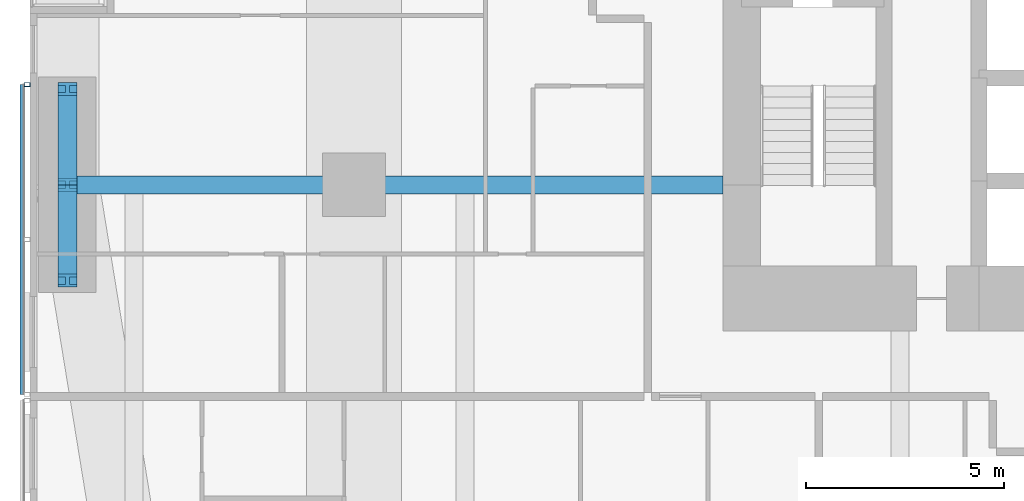
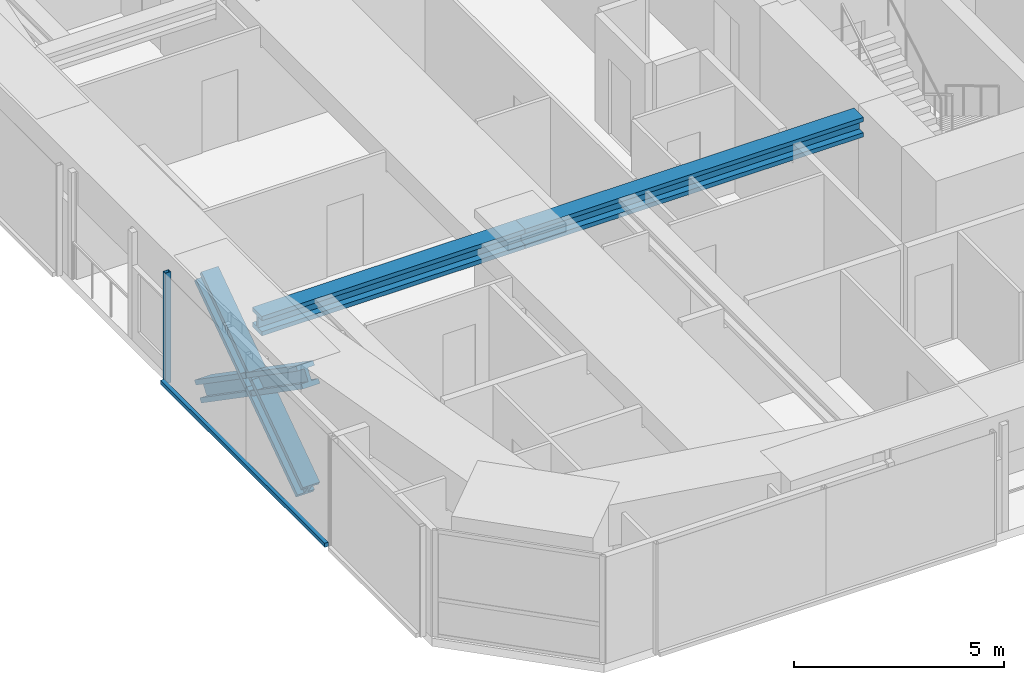
# One storey, part 3 of 23: 6 members, 2 beams, 1 element without a shape of its own.
"""IFC4 building model written with IfcOpenShell, lengths in metres."""

from ifc_helpers import new_model, si_unit, direction, frame, origin, origin_2d, place, context, subcontext, project, spatial, rectangle, hollow_rectangle, i_section, extrude, material, material_profile, profile_set, type_object, element, aggregate, save


model = new_model("IFC4")

# Units and contexts
model_context = context("Model", 3, precision=1e-05, world=origin(), true_north=direction((0.0, 1.0)))
body_context = subcontext(model_context, "Body", "Model", "MODEL_VIEW")
ifc_project = project(units=[si_unit("LENGTHUNIT", "METRE"), si_unit("AREAUNIT", "SQUARE_METRE"), si_unit("VOLUMEUNIT", "CUBIC_METRE"), si_unit("PLANEANGLEUNIT", "RADIAN"), si_unit("MASSUNIT", "GRAM", prefix="KILO")], contexts=[model_context])

# Site, building, storey
site_placement = place(None, origin())
site = spatial("IfcSite", under=ifc_project, at=site_placement, CompositionType="ELEMENT")
building_placement = place(site_placement, origin())
building = spatial("IfcBuilding", under=site, at=building_placement, Name="Jalousie Tower", CompositionType="ELEMENT")
storey_placement = place(building_placement, frame((0.0, 0.0, 27.699951171875)))
storey = spatial("IfcBuildingStorey", under=building, at=storey_placement, Name="L06", CompositionType="ELEMENT", Elevation=27.699951171875)

# Beams
ifc_material_1 = material(Name="Steel ASTM A992 Grade 50", Category="steel")
ifc_material_profile_1 = material_profile(ifc_material_1, i_section(OverallWidth=0.45458984375, OverallDepth=0.569091796875, WebThickness=0.077880859375, FlangeThickness=0.124755859375, at=origin_2d()), Name="W14X730")
ifc_profile_set_1 = profile_set([ifc_material_profile_1], Name="Steel ASTM A992 Grade 50")
beam_type = type_object("IfcBeamType", Name="LEAN COLLECTOR W14X730", PredefinedType="BEAM", material=ifc_profile_set_1)
beam_1_placement = place(storey_placement, frame((2.949951171875, 13.0, 2.825439453125), z_axis=(1.0, 0.0, 0.0), x_axis=(0.0, 1.0, 0.0)))
element("IfcBeam", 1, at=beam_1_placement, inside=storey, type_object=beam_type, Name="Lean collector under L07", PredefinedType="BEAM", context=body_context, shape_type="SweptSolid", body=[
    extrude(i_section(OverallWidth=0.45458984375, OverallDepth=0.569091796875, WebThickness=0.077880859375, FlangeThickness=0.124755859375, at=origin_2d()), origin(), (0.0, 0.0, 1.0), 7.25),
])
beam_2_placement = place(storey_placement, frame((10.199951171875, 13.0, 2.825439453125), z_axis=(1.0, 0.0, 0.0), x_axis=(0.0, 1.0, 0.0)))
element("IfcBeam", 2, at=beam_2_placement, inside=storey, type_object=beam_type, Name="Lean collector under L07", PredefinedType="BEAM", context=body_context, shape_type="SweptSolid", body=[
    extrude(i_section(OverallWidth=0.45458984375, OverallDepth=0.569091796875, WebThickness=0.077880859375, FlangeThickness=0.124755859375, at=origin_2d()), origin(), (0.0, 0.0, 1.0), 9.324951171875),
])

# Members
ifc_material_2 = material(Name="Steel ASTM A992 Grade 50", Category="steel")
ifc_material_profile_2 = material_profile(ifc_material_2, i_section(OverallWidth=0.472412109375, OverallDepth=0.5791015625, WebThickness=0.094970703125, FlangeThickness=0.1298828125, at=origin_2d()), Name="W14X808")
ifc_profile_set_2 = profile_set([ifc_material_profile_2], Name="Steel ASTM A992 Grade 50")
member_type_1 = type_object("IfcMemberType", Name="PERIMETER BRACE W14X808", PredefinedType="BRACE", material=ifc_profile_set_2)
for number, where, z_axis, x_axis, name in (
    (3, (2.949951171875, 10.574951171875, -0.599853515625), (0.0, 0.82283879777, 0.568274856811), (-1.0, 0.0, 0.0), "Perimeter brace 14 L06 part 1"),
    (4, (2.949951171875, 13.0, 1.074951171875), (0.0, 0.822800062329, 0.568330940062), (-1.0, 0.0, 0.0), "Perimeter brace 14 L06 part 2"),
    (5, (2.949951171875, 15.425048828125, -0.599853515625), (0.0, -0.82283879777, 0.568274856811), (1.0, 0.0, 0.0), "Perimeter brace 14 L06 part 3"),
    (6, (2.949951171875, 13.0, 1.074951171875), (0.0, -0.822800062329, 0.568330940062), (1.0, 0.0, 0.0), "Perimeter brace 14 L06 part 4"),
):
    element("IfcMember", number, at=place(storey_placement, frame(where, z_axis=z_axis, x_axis=x_axis)), inside=storey, type_object=member_type_1, Name=name, PredefinedType="BRACE", context=body_context, shape_type="SweptSolid", body=[
        extrude(i_section(OverallWidth=0.472412109375, OverallDepth=0.5791015625, WebThickness=0.094970703125, FlangeThickness=0.1298828125, at=origin_2d()), origin(), (0.0, 0.0, 1.0), 2.947265625),
    ])

# Curtain wall, members
ifc_material_3 = material(Name="Perforated aluminium sheet", Category="aluminium")
curtain_wall_type = type_object("IfcCurtainWallType", Name="SOLAR SCREEN SS-1", PredefinedType="USERDEFINED", material=ifc_material_3)
curtain_wall_placement = place(storey_placement, origin())
curtain_wall = element("IfcCurtainWall", 7, at=curtain_wall_placement, inside=storey, type_object=curtain_wall_type, Name="Solar screen L06", ObjectType="SOLAR SCREEN SS-1", PredefinedType="USERDEFINED")
ifc_material_4 = material(Name="Steel ASTM A500 Grade C", Category="steel")
ifc_material_profile_3 = material_profile(ifc_material_4, hollow_rectangle(XDim=0.1015625, YDim=0.15234375, WallThickness=0.00634765625, at=origin_2d()), Name="HSS6X4X1/4")
ifc_profile_set_3 = profile_set([ifc_material_profile_3], Name="Steel ASTM A500 Grade C")
member_type_2 = type_object("IfcMemberType", Name="SOLAR SCREEN SS-1 MULLION", PredefinedType="MULLION", material=ifc_profile_set_3)
member_1_placement = place(storey_placement, frame((1.9287109375, 15.533203125, -0.119873046875), z_axis=(0.0, 0.0, 1.0), x_axis=(0.0, -1.0, 0.0)))
member_1 = element("IfcMember", 8, at=member_1_placement, type_object=member_type_2, Name="SS1 post 1", PredefinedType="MULLION", context=body_context, shape_type="SweptSolid", body=[
    extrude(hollow_rectangle(XDim=0.1015625, YDim=0.15234375, WallThickness=0.00634765625, at=origin_2d()), origin(), (0.0, 0.0, 1.0), 3.22998046875),
])
ifc_material_5 = material(Name="Extruded aluminium screen rail", Category="aluminium")
ifc_material_profile_4 = material_profile(ifc_material_5, rectangle(XDim=0.1015625, YDim=0.1201171875, at=origin_2d()), Name="RAIL 102x120")
ifc_profile_set_4 = profile_set([ifc_material_profile_4], Name="Extruded aluminium screen rail")
member_type_3 = type_object("IfcMemberType", Name="SOLAR SCREEN SS-1 TRANSOM", PredefinedType="USERDEFINED", material=ifc_profile_set_4)
member_2_placement = place(storey_placement, frame((1.8017578125, 15.533203125, -0.06005859375), z_axis=(0.0, -1.0, 0.0), x_axis=(1.0, 0.0, 0.0)))
member_2 = element("IfcMember", 9, at=member_2_placement, type_object=member_type_3, Name="SS1 rail", ObjectType="TRANSOM", PredefinedType="USERDEFINED", context=body_context, shape_type="SweptSolid", body=[
    extrude(rectangle(XDim=0.1015625, YDim=0.1201171875, at=origin_2d()), origin(), (0.0, 0.0, 1.0), 7.833251953125),
])
aggregate(curtain_wall, [member_1, member_2])

save(model, "model.ifc")
